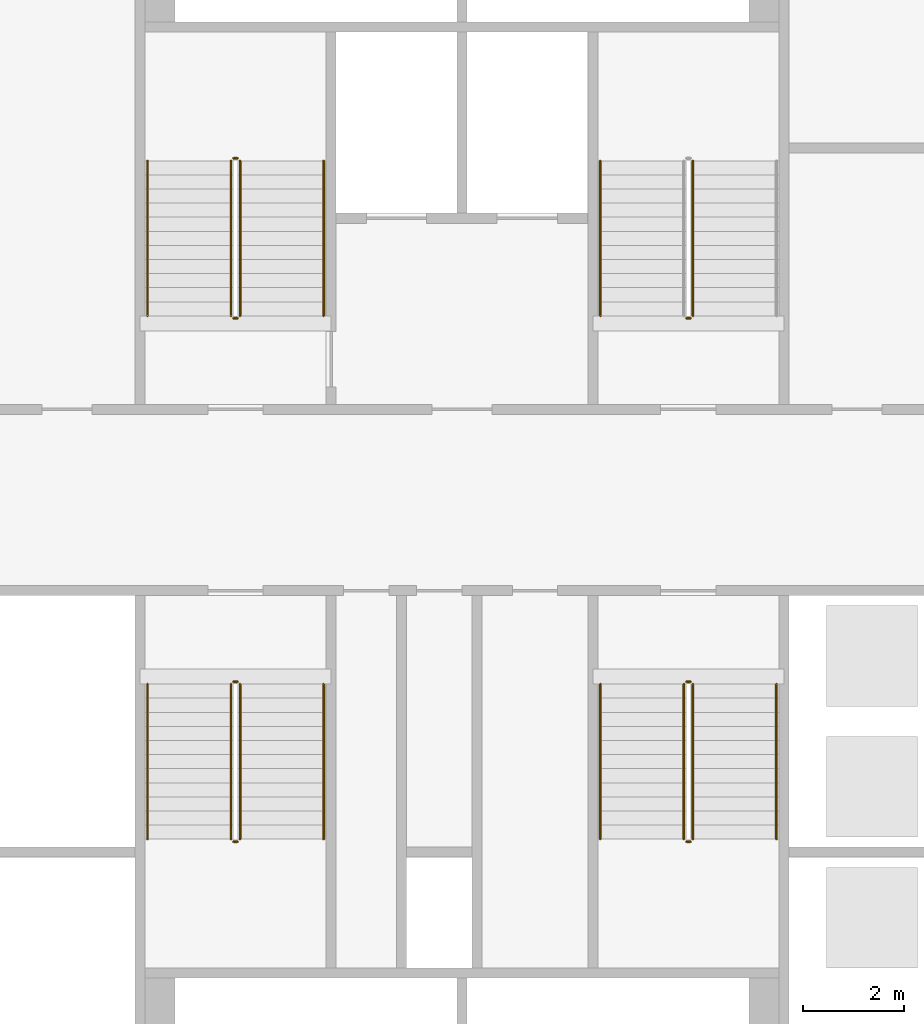
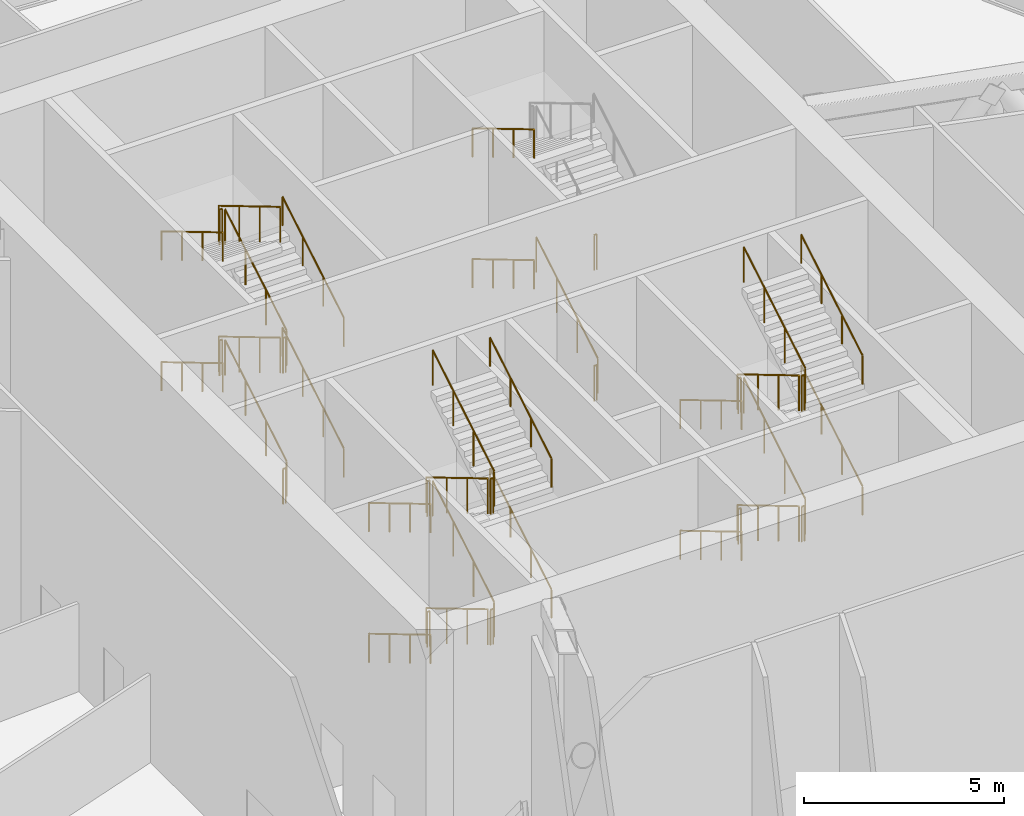
# One storey, part 57 of 63: 41 railings.
"""IFC4 building model written with IfcOpenShell, lengths in metres."""

from ifc_helpers import new_model, si_unit, direction, frame, origin, origin_2d, place, context, subcontext, project, spatial, circle, extrude, material, type_object, element, save


model = new_model("IFC4")

# Units and contexts
model_context = context("Model", 3, precision=1e-05, world=origin(), true_north=direction((0.0, 1.0)))
body_context = subcontext(model_context, "Body", "Model", "MODEL_VIEW")
ifc_project = project(units=[si_unit("LENGTHUNIT", "METRE"), si_unit("AREAUNIT", "SQUARE_METRE"), si_unit("VOLUMEUNIT", "CUBIC_METRE"), si_unit("PLANEANGLEUNIT", "RADIAN"), si_unit("MASSUNIT", "GRAM", prefix="KILO")], contexts=[model_context])

# Site, building, storey
site_placement = place(None, origin())
site = spatial("IfcSite", under=ifc_project, at=site_placement, CompositionType="ELEMENT")
building_placement = place(site_placement, origin())
building = spatial("IfcBuilding", under=site, at=building_placement, Name="Tarsis Ring Headquarters", CompositionType="ELEMENT")
storey_placement = place(building_placement, frame((0.0, 0.0, 139.60009765625)))
storey = spatial("IfcBuildingStorey", under=building, at=storey_placement, Name="L32", CompositionType="ELEMENT", Elevation=139.60009765625)

# Railings
ifc_material = material(Name="Steel S355", Category="steel")
railing_type_1 = type_object("IfcRailingType", Name="Core stair guard 1100", PredefinedType="GUARDRAIL", material=ifc_material)
railing_1_placement = place(storey_placement, frame((-4.409912109375, 3.659912109375, 0.16650390625)))
element("IfcRailing", 1, at=railing_1_placement, inside=storey, type_object=railing_type_1, Name="L32 ST1 stair guard 1", PredefinedType="GUARDRAIL", context=body_context, shape_type="SweptSolid", body=[
    extrude(circle(Radius=0.02392578125, at=origin_2d()), frame((0.0, 0.0, 1.076171875), z_axis=(0.0, 0.85927862911, 0.511507807912), x_axis=(-1.0, 0.0, 0.0)), (0.0, 0.0, 1.0), 3.58447265625),
    extrude(circle(Radius=0.02099609375, at=origin_2d()), origin(), (0.0, 0.0, 1.0), 1.052001953125),
    extrude(circle(Radius=0.02099609375, at=origin_2d()), frame((0.0, 1.026611328125, 0.611083984375)), (0.0, 0.0, 1.0), 1.052001953125),
    extrude(circle(Radius=0.02099609375, at=origin_2d()), frame((0.0, 2.053466796875, 1.222412109375)), (0.0, 0.0, 1.0), 1.052001953125),
    extrude(circle(Radius=0.02099609375, at=origin_2d()), frame((0.0, 3.080078125, 1.83349609375)), (0.0, 0.0, 1.0), 1.052001953125),
])
railing_2_placement = place(storey_placement, frame((-4.4599609375, 6.7900390625, 2.0)))
element("IfcRailing", 2, at=railing_2_placement, inside=storey, type_object=railing_type_1, Name="L32 ST1 stair guard 2", PredefinedType="GUARDRAIL", context=body_context, shape_type="SweptSolid", body=[
    extrude(circle(Radius=0.02392578125, at=origin_2d()), frame((0.0, 0.0, 1.076171875), z_axis=(-1.0, 0.0, 0.0), x_axis=(0.0, -1.0, 0.0)), (0.0, 0.0, 1.0), 0.080078125),
    extrude(circle(Radius=0.02099609375, at=origin_2d()), origin(), (0.0, 0.0, 1.0), 1.052001953125),
    extrude(circle(Radius=0.02099609375, at=origin_2d()), frame((-0.080078125, 0.0, 0.0)), (0.0, 0.0, 1.0), 1.052001953125),
])
railing_3_placement = place(storey_placement, frame((-4.590087890625, 6.739990234375, 2.16650390625)))
element("IfcRailing", 3, at=railing_3_placement, inside=storey, type_object=railing_type_1, Name="L32 ST1 stair guard 3", PredefinedType="GUARDRAIL", context=body_context, shape_type="SweptSolid", body=[
    extrude(circle(Radius=0.02392578125, at=origin_2d()), frame((0.0, 0.0, 1.076171875), z_axis=(0.0, -0.85927862911, 0.511507807912), x_axis=(1.0, 0.0, 0.0)), (0.0, 0.0, 1.0), 3.58447265625),
    extrude(circle(Radius=0.02099609375, at=origin_2d()), origin(), (0.0, 0.0, 1.0), 1.052001953125),
    extrude(circle(Radius=0.02099609375, at=origin_2d()), frame((0.0, -1.026611328125, 0.611083984375)), (0.0, 0.0, 1.0), 1.052001953125),
    extrude(circle(Radius=0.02099609375, at=origin_2d()), frame((0.0, -2.053466796875, 1.222412109375)), (0.0, 0.0, 1.0), 1.052001953125),
    extrude(circle(Radius=0.02099609375, at=origin_2d()), frame((0.0, -3.080078125, 1.83349609375)), (0.0, 0.0, 1.0), 1.052001953125),
])
railing_4_placement = place(storey_placement, frame((-4.4599609375, 3.610107421875, 4.0)))
element("IfcRailing", 4, at=railing_4_placement, inside=storey, type_object=railing_type_1, Name="L32 ST1 stair guard 4", PredefinedType="GUARDRAIL", context=body_context, shape_type="SweptSolid", body=[
    extrude(circle(Radius=0.02392578125, at=origin_2d()), frame((0.0, 0.0, 1.076171875), z_axis=(-1.0, 0.0, 0.0), x_axis=(0.0, -1.0, 0.0)), (0.0, 0.0, 1.0), 0.080078125),
    extrude(circle(Radius=0.02099609375, at=origin_2d()), origin(), (0.0, 0.0, 1.0), 1.052001953125),
    extrude(circle(Radius=0.02099609375, at=origin_2d()), frame((-0.080078125, 0.0, 0.0)), (0.0, 0.0, 1.0), 1.052001953125),
])
railing_5_placement = place(storey_placement, frame((-4.409912109375, 3.659912109375, 4.16650390625)))
element("IfcRailing", 5, at=railing_5_placement, inside=storey, type_object=railing_type_1, Name="L32 ST1 stair guard 5", PredefinedType="GUARDRAIL", context=body_context, shape_type="SweptSolid", body=[
    extrude(circle(Radius=0.02392578125, at=origin_2d()), frame((0.0, 0.0, 1.076171875), z_axis=(0.0, 0.85927862911, 0.511507807912), x_axis=(-1.0, 0.0, 0.0)), (0.0, 0.0, 1.0), 3.58447265625),
    extrude(circle(Radius=0.02099609375, at=origin_2d()), origin(), (0.0, 0.0, 1.0), 1.052001953125),
    extrude(circle(Radius=0.02099609375, at=origin_2d()), frame((0.0, 1.026611328125, 0.611083984375)), (0.0, 0.0, 1.0), 1.052001953125),
    extrude(circle(Radius=0.02099609375, at=origin_2d()), frame((0.0, 2.053466796875, 1.222412109375)), (0.0, 0.0, 1.0), 1.052001953125),
    extrude(circle(Radius=0.02099609375, at=origin_2d()), frame((0.0, 3.080078125, 1.83349609375)), (0.0, 0.0, 1.0), 1.052001953125),
])
railing_6_placement = place(storey_placement, frame((-4.4599609375, 6.7900390625, 6.0)))
element("IfcRailing", 6, at=railing_6_placement, inside=storey, type_object=railing_type_1, Name="L32 ST1 stair guard 6", PredefinedType="GUARDRAIL", context=body_context, shape_type="SweptSolid", body=[
    extrude(circle(Radius=0.02392578125, at=origin_2d()), frame((0.0, 0.0, 1.076171875), z_axis=(-1.0, 0.0, 0.0), x_axis=(0.0, -1.0, 0.0)), (0.0, 0.0, 1.0), 0.080078125),
    extrude(circle(Radius=0.02099609375, at=origin_2d()), origin(), (0.0, 0.0, 1.0), 1.052001953125),
    extrude(circle(Radius=0.02099609375, at=origin_2d()), frame((-0.080078125, 0.0, 0.0)), (0.0, 0.0, 1.0), 1.052001953125),
])
railing_7_placement = place(storey_placement, frame((-4.590087890625, 6.739990234375, 6.16650390625)))
element("IfcRailing", 7, at=railing_7_placement, inside=storey, type_object=railing_type_1, Name="L32 ST1 stair guard 7", PredefinedType="GUARDRAIL", context=body_context, shape_type="SweptSolid", body=[
    extrude(circle(Radius=0.02392578125, at=origin_2d()), frame((0.0, 0.0, 1.076171875), z_axis=(0.0, -0.85927862911, 0.511507807912), x_axis=(1.0, 0.0, 0.0)), (0.0, 0.0, 1.0), 3.58447265625),
    extrude(circle(Radius=0.02099609375, at=origin_2d()), origin(), (0.0, 0.0, 1.0), 1.052001953125),
    extrude(circle(Radius=0.02099609375, at=origin_2d()), frame((0.0, -1.026611328125, 0.611083984375)), (0.0, 0.0, 1.0), 1.052001953125),
    extrude(circle(Radius=0.02099609375, at=origin_2d()), frame((0.0, -2.053466796875, 1.222412109375)), (0.0, 0.0, 1.0), 1.052001953125),
    extrude(circle(Radius=0.02099609375, at=origin_2d()), frame((0.0, -3.080078125, 1.83349609375)), (0.0, 0.0, 1.0), 1.052001953125),
])
railing_8_placement = place(storey_placement, frame((-4.4599609375, 3.610107421875, 0.0)))
element("IfcRailing", 8, at=railing_8_placement, inside=storey, type_object=railing_type_1, Name="L32 ST1 stair guard 8", PredefinedType="GUARDRAIL", context=body_context, shape_type="SweptSolid", body=[
    extrude(circle(Radius=0.02392578125, at=origin_2d()), frame((0.0, 0.0, 1.076171875), z_axis=(-1.0, 0.0, 0.0), x_axis=(0.0, -1.0, 0.0)), (0.0, 0.0, 1.0), 0.080078125),
    extrude(circle(Radius=0.02099609375, at=origin_2d()), origin(), (0.0, 0.0, 1.0), 1.052001953125),
    extrude(circle(Radius=0.02099609375, at=origin_2d()), frame((-0.080078125, 0.0, 0.0)), (0.0, 0.0, 1.0), 1.052001953125),
])
railing_9_placement = place(storey_placement, frame((4.590087890625, 3.659912109375, 0.16650390625)))
element("IfcRailing", 9, at=railing_9_placement, inside=storey, type_object=railing_type_1, Name="L32 ST2 stair guard 1", PredefinedType="GUARDRAIL", context=body_context, shape_type="SweptSolid", body=[
    extrude(circle(Radius=0.02392578125, at=origin_2d()), frame((0.0, 0.0, 1.076171875), z_axis=(0.0, 0.85927862911, 0.511507807912), x_axis=(-1.0, 0.0, 0.0)), (0.0, 0.0, 1.0), 3.58447265625),
    extrude(circle(Radius=0.02099609375, at=origin_2d()), origin(), (0.0, 0.0, 1.0), 1.052001953125),
    extrude(circle(Radius=0.02099609375, at=origin_2d()), frame((0.0, 1.026611328125, 0.611083984375)), (0.0, 0.0, 1.0), 1.052001953125),
    extrude(circle(Radius=0.02099609375, at=origin_2d()), frame((0.0, 2.053466796875, 1.222412109375)), (0.0, 0.0, 1.0), 1.052001953125),
    extrude(circle(Radius=0.02099609375, at=origin_2d()), frame((0.0, 3.080078125, 1.83349609375)), (0.0, 0.0, 1.0), 1.052001953125),
])
for number, where, name in (
    (10, (4.5400390625, 3.610107421875, 4.0), "L32 ST2 stair guard 4"),
    (11, (4.5400390625, 3.610107421875, 0.0), "L32 ST2 stair guard 8"),
):
    element("IfcRailing", number, at=place(storey_placement, frame(where)), inside=storey, type_object=railing_type_1, Name=name, PredefinedType="GUARDRAIL", context=body_context, shape_type="SweptSolid", body=[
        extrude(circle(Radius=0.02392578125, at=origin_2d()), frame((0.0, 0.0, 1.076171875), z_axis=(-1.0, 0.0, 0.0), x_axis=(0.0, -1.0, 0.0)), (0.0, 0.0, 1.0), 0.080078125),
        extrude(circle(Radius=0.02099609375, at=origin_2d()), origin(), (0.0, 0.0, 1.0), 1.052001953125),
        extrude(circle(Radius=0.02099609375, at=origin_2d()), frame((-0.080078125, 0.0, 0.0)), (0.0, 0.0, 1.0), 1.052001953125),
    ])
railing_10_placement = place(storey_placement, frame((-4.590087890625, -3.659912109375, 0.16650390625)))
element("IfcRailing", 12, at=railing_10_placement, inside=storey, type_object=railing_type_1, Name="L32 ST3 stair guard 1", PredefinedType="GUARDRAIL", context=body_context, shape_type="SweptSolid", body=[
    extrude(circle(Radius=0.02392578125, at=origin_2d()), frame((0.0, 0.0, 1.076171875), z_axis=(0.0, -0.85927862911, 0.511507807912), x_axis=(1.0, 0.0, 0.0)), (0.0, 0.0, 1.0), 3.58447265625),
    extrude(circle(Radius=0.02099609375, at=origin_2d()), origin(), (0.0, 0.0, 1.0), 1.052001953125),
    extrude(circle(Radius=0.02099609375, at=origin_2d()), frame((0.0, -1.026611328125, 0.611083984375)), (0.0, 0.0, 1.0), 1.052001953125),
    extrude(circle(Radius=0.02099609375, at=origin_2d()), frame((0.0, -2.053466796875, 1.222412109375)), (0.0, 0.0, 1.0), 1.052001953125),
    extrude(circle(Radius=0.02099609375, at=origin_2d()), frame((0.0, -3.080078125, 1.83349609375)), (0.0, 0.0, 1.0), 1.052001953125),
])
railing_11_placement = place(storey_placement, frame((-4.5400390625, -6.7900390625, 2.0)))
element("IfcRailing", 13, at=railing_11_placement, inside=storey, type_object=railing_type_1, Name="L32 ST3 stair guard 2", PredefinedType="GUARDRAIL", context=body_context, shape_type="SweptSolid", body=[
    extrude(circle(Radius=0.02392578125, at=origin_2d()), frame((0.0, 0.0, 1.076171875), z_axis=(1.0, 0.0, 0.0), x_axis=(0.0, 1.0, 0.0)), (0.0, 0.0, 1.0), 0.080078125),
    extrude(circle(Radius=0.02099609375, at=origin_2d()), origin(), (0.0, 0.0, 1.0), 1.052001953125),
    extrude(circle(Radius=0.02099609375, at=origin_2d()), frame((0.080078125, 0.0, 0.0)), (0.0, 0.0, 1.0), 1.052001953125),
])
railing_12_placement = place(storey_placement, frame((-4.409912109375, -6.739990234375, 2.16650390625)))
element("IfcRailing", 14, at=railing_12_placement, inside=storey, type_object=railing_type_1, Name="L32 ST3 stair guard 3", PredefinedType="GUARDRAIL", context=body_context, shape_type="SweptSolid", body=[
    extrude(circle(Radius=0.02392578125, at=origin_2d()), frame((0.0, 0.0, 1.076171875), z_axis=(0.0, 0.85927862911, 0.511507807912), x_axis=(-1.0, 0.0, 0.0)), (0.0, 0.0, 1.0), 3.58447265625),
    extrude(circle(Radius=0.02099609375, at=origin_2d()), origin(), (0.0, 0.0, 1.0), 1.052001953125),
    extrude(circle(Radius=0.02099609375, at=origin_2d()), frame((0.0, 1.026611328125, 0.611083984375)), (0.0, 0.0, 1.0), 1.052001953125),
    extrude(circle(Radius=0.02099609375, at=origin_2d()), frame((0.0, 2.053466796875, 1.222412109375)), (0.0, 0.0, 1.0), 1.052001953125),
    extrude(circle(Radius=0.02099609375, at=origin_2d()), frame((0.0, 3.080078125, 1.83349609375)), (0.0, 0.0, 1.0), 1.052001953125),
])
railing_13_placement = place(storey_placement, frame((-4.5400390625, -3.610107421875, 4.0)))
element("IfcRailing", 15, at=railing_13_placement, inside=storey, type_object=railing_type_1, Name="L32 ST3 stair guard 4", PredefinedType="GUARDRAIL", context=body_context, shape_type="SweptSolid", body=[
    extrude(circle(Radius=0.02392578125, at=origin_2d()), frame((0.0, 0.0, 1.076171875), z_axis=(1.0, 0.0, 0.0), x_axis=(0.0, 1.0, 0.0)), (0.0, 0.0, 1.0), 0.080078125),
    extrude(circle(Radius=0.02099609375, at=origin_2d()), origin(), (0.0, 0.0, 1.0), 1.052001953125),
    extrude(circle(Radius=0.02099609375, at=origin_2d()), frame((0.080078125, 0.0, 0.0)), (0.0, 0.0, 1.0), 1.052001953125),
])
railing_14_placement = place(storey_placement, frame((-4.590087890625, -3.659912109375, 4.16650390625)))
element("IfcRailing", 16, at=railing_14_placement, inside=storey, type_object=railing_type_1, Name="L32 ST3 stair guard 5", PredefinedType="GUARDRAIL", context=body_context, shape_type="SweptSolid", body=[
    extrude(circle(Radius=0.02392578125, at=origin_2d()), frame((0.0, 0.0, 1.076171875), z_axis=(0.0, -0.85927862911, 0.511507807912), x_axis=(1.0, 0.0, 0.0)), (0.0, 0.0, 1.0), 3.58447265625),
    extrude(circle(Radius=0.02099609375, at=origin_2d()), origin(), (0.0, 0.0, 1.0), 1.052001953125),
    extrude(circle(Radius=0.02099609375, at=origin_2d()), frame((0.0, -1.026611328125, 0.611083984375)), (0.0, 0.0, 1.0), 1.052001953125),
    extrude(circle(Radius=0.02099609375, at=origin_2d()), frame((0.0, -2.053466796875, 1.222412109375)), (0.0, 0.0, 1.0), 1.052001953125),
    extrude(circle(Radius=0.02099609375, at=origin_2d()), frame((0.0, -3.080078125, 1.83349609375)), (0.0, 0.0, 1.0), 1.052001953125),
])
railing_15_placement = place(storey_placement, frame((-4.5400390625, -6.7900390625, 6.0)))
element("IfcRailing", 17, at=railing_15_placement, inside=storey, type_object=railing_type_1, Name="L32 ST3 stair guard 6", PredefinedType="GUARDRAIL", context=body_context, shape_type="SweptSolid", body=[
    extrude(circle(Radius=0.02392578125, at=origin_2d()), frame((0.0, 0.0, 1.076171875), z_axis=(1.0, 0.0, 0.0), x_axis=(0.0, 1.0, 0.0)), (0.0, 0.0, 1.0), 0.080078125),
    extrude(circle(Radius=0.02099609375, at=origin_2d()), origin(), (0.0, 0.0, 1.0), 1.052001953125),
    extrude(circle(Radius=0.02099609375, at=origin_2d()), frame((0.080078125, 0.0, 0.0)), (0.0, 0.0, 1.0), 1.052001953125),
])
railing_16_placement = place(storey_placement, frame((-4.409912109375, -6.739990234375, 6.16650390625)))
element("IfcRailing", 18, at=railing_16_placement, inside=storey, type_object=railing_type_1, Name="L32 ST3 stair guard 7", PredefinedType="GUARDRAIL", context=body_context, shape_type="SweptSolid", body=[
    extrude(circle(Radius=0.02392578125, at=origin_2d()), frame((0.0, 0.0, 1.076171875), z_axis=(0.0, 0.85927862911, 0.511507807912), x_axis=(-1.0, 0.0, 0.0)), (0.0, 0.0, 1.0), 3.58447265625),
    extrude(circle(Radius=0.02099609375, at=origin_2d()), origin(), (0.0, 0.0, 1.0), 1.052001953125),
    extrude(circle(Radius=0.02099609375, at=origin_2d()), frame((0.0, 1.026611328125, 0.611083984375)), (0.0, 0.0, 1.0), 1.052001953125),
    extrude(circle(Radius=0.02099609375, at=origin_2d()), frame((0.0, 2.053466796875, 1.222412109375)), (0.0, 0.0, 1.0), 1.052001953125),
    extrude(circle(Radius=0.02099609375, at=origin_2d()), frame((0.0, 3.080078125, 1.83349609375)), (0.0, 0.0, 1.0), 1.052001953125),
])
railing_17_placement = place(storey_placement, frame((-4.5400390625, -3.610107421875, 0.0)))
element("IfcRailing", 19, at=railing_17_placement, inside=storey, type_object=railing_type_1, Name="L32 ST3 stair guard 8", PredefinedType="GUARDRAIL", context=body_context, shape_type="SweptSolid", body=[
    extrude(circle(Radius=0.02392578125, at=origin_2d()), frame((0.0, 0.0, 1.076171875), z_axis=(1.0, 0.0, 0.0), x_axis=(0.0, 1.0, 0.0)), (0.0, 0.0, 1.0), 0.080078125),
    extrude(circle(Radius=0.02099609375, at=origin_2d()), origin(), (0.0, 0.0, 1.0), 1.052001953125),
    extrude(circle(Radius=0.02099609375, at=origin_2d()), frame((0.080078125, 0.0, 0.0)), (0.0, 0.0, 1.0), 1.052001953125),
])
railing_18_placement = place(storey_placement, frame((4.409912109375, -3.659912109375, 0.16650390625)))
element("IfcRailing", 20, at=railing_18_placement, inside=storey, type_object=railing_type_1, Name="L32 ST4 stair guard 1", PredefinedType="GUARDRAIL", context=body_context, shape_type="SweptSolid", body=[
    extrude(circle(Radius=0.02392578125, at=origin_2d()), frame((0.0, 0.0, 1.076171875), z_axis=(0.0, -0.85927862911, 0.511507807912), x_axis=(1.0, 0.0, 0.0)), (0.0, 0.0, 1.0), 3.58447265625),
    extrude(circle(Radius=0.02099609375, at=origin_2d()), origin(), (0.0, 0.0, 1.0), 1.052001953125),
    extrude(circle(Radius=0.02099609375, at=origin_2d()), frame((0.0, -1.026611328125, 0.611083984375)), (0.0, 0.0, 1.0), 1.052001953125),
    extrude(circle(Radius=0.02099609375, at=origin_2d()), frame((0.0, -2.053466796875, 1.222412109375)), (0.0, 0.0, 1.0), 1.052001953125),
    extrude(circle(Radius=0.02099609375, at=origin_2d()), frame((0.0, -3.080078125, 1.83349609375)), (0.0, 0.0, 1.0), 1.052001953125),
])
railing_19_placement = place(storey_placement, frame((4.4599609375, -6.7900390625, 2.0)))
element("IfcRailing", 21, at=railing_19_placement, inside=storey, type_object=railing_type_1, Name="L32 ST4 stair guard 2", PredefinedType="GUARDRAIL", context=body_context, shape_type="SweptSolid", body=[
    extrude(circle(Radius=0.02392578125, at=origin_2d()), frame((0.0, 0.0, 1.076171875), z_axis=(1.0, 0.0, 0.0), x_axis=(0.0, 1.0, 0.0)), (0.0, 0.0, 1.0), 0.080078125),
    extrude(circle(Radius=0.02099609375, at=origin_2d()), origin(), (0.0, 0.0, 1.0), 1.052001953125),
    extrude(circle(Radius=0.02099609375, at=origin_2d()), frame((0.080078125, 0.0, 0.0)), (0.0, 0.0, 1.0), 1.052001953125),
])
railing_20_placement = place(storey_placement, frame((4.590087890625, -6.739990234375, 2.16650390625)))
element("IfcRailing", 22, at=railing_20_placement, inside=storey, type_object=railing_type_1, Name="L32 ST4 stair guard 3", PredefinedType="GUARDRAIL", context=body_context, shape_type="SweptSolid", body=[
    extrude(circle(Radius=0.02392578125, at=origin_2d()), frame((0.0, 0.0, 1.076171875), z_axis=(0.0, 0.85927862911, 0.511507807912), x_axis=(-1.0, 0.0, 0.0)), (0.0, 0.0, 1.0), 3.58447265625),
    extrude(circle(Radius=0.02099609375, at=origin_2d()), origin(), (0.0, 0.0, 1.0), 1.052001953125),
    extrude(circle(Radius=0.02099609375, at=origin_2d()), frame((0.0, 1.026611328125, 0.611083984375)), (0.0, 0.0, 1.0), 1.052001953125),
    extrude(circle(Radius=0.02099609375, at=origin_2d()), frame((0.0, 2.053466796875, 1.222412109375)), (0.0, 0.0, 1.0), 1.052001953125),
    extrude(circle(Radius=0.02099609375, at=origin_2d()), frame((0.0, 3.080078125, 1.83349609375)), (0.0, 0.0, 1.0), 1.052001953125),
])
railing_21_placement = place(storey_placement, frame((4.4599609375, -3.610107421875, 4.0)))
element("IfcRailing", 23, at=railing_21_placement, inside=storey, type_object=railing_type_1, Name="L32 ST4 stair guard 4", PredefinedType="GUARDRAIL", context=body_context, shape_type="SweptSolid", body=[
    extrude(circle(Radius=0.02392578125, at=origin_2d()), frame((0.0, 0.0, 1.076171875), z_axis=(1.0, 0.0, 0.0), x_axis=(0.0, 1.0, 0.0)), (0.0, 0.0, 1.0), 0.080078125),
    extrude(circle(Radius=0.02099609375, at=origin_2d()), origin(), (0.0, 0.0, 1.0), 1.052001953125),
    extrude(circle(Radius=0.02099609375, at=origin_2d()), frame((0.080078125, 0.0, 0.0)), (0.0, 0.0, 1.0), 1.052001953125),
])
railing_22_placement = place(storey_placement, frame((4.409912109375, -3.659912109375, 4.16650390625)))
element("IfcRailing", 24, at=railing_22_placement, inside=storey, type_object=railing_type_1, Name="L32 ST4 stair guard 5", PredefinedType="GUARDRAIL", context=body_context, shape_type="SweptSolid", body=[
    extrude(circle(Radius=0.02392578125, at=origin_2d()), frame((0.0, 0.0, 1.076171875), z_axis=(0.0, -0.85927862911, 0.511507807912), x_axis=(1.0, 0.0, 0.0)), (0.0, 0.0, 1.0), 3.58447265625),
    extrude(circle(Radius=0.02099609375, at=origin_2d()), origin(), (0.0, 0.0, 1.0), 1.052001953125),
    extrude(circle(Radius=0.02099609375, at=origin_2d()), frame((0.0, -1.026611328125, 0.611083984375)), (0.0, 0.0, 1.0), 1.052001953125),
    extrude(circle(Radius=0.02099609375, at=origin_2d()), frame((0.0, -2.053466796875, 1.222412109375)), (0.0, 0.0, 1.0), 1.052001953125),
    extrude(circle(Radius=0.02099609375, at=origin_2d()), frame((0.0, -3.080078125, 1.83349609375)), (0.0, 0.0, 1.0), 1.052001953125),
])
railing_23_placement = place(storey_placement, frame((4.4599609375, -6.7900390625, 6.0)))
element("IfcRailing", 25, at=railing_23_placement, inside=storey, type_object=railing_type_1, Name="L32 ST4 stair guard 6", PredefinedType="GUARDRAIL", context=body_context, shape_type="SweptSolid", body=[
    extrude(circle(Radius=0.02392578125, at=origin_2d()), frame((0.0, 0.0, 1.076171875), z_axis=(1.0, 0.0, 0.0), x_axis=(0.0, 1.0, 0.0)), (0.0, 0.0, 1.0), 0.080078125),
    extrude(circle(Radius=0.02099609375, at=origin_2d()), origin(), (0.0, 0.0, 1.0), 1.052001953125),
    extrude(circle(Radius=0.02099609375, at=origin_2d()), frame((0.080078125, 0.0, 0.0)), (0.0, 0.0, 1.0), 1.052001953125),
])
railing_24_placement = place(storey_placement, frame((4.590087890625, -6.739990234375, 6.16650390625)))
element("IfcRailing", 26, at=railing_24_placement, inside=storey, type_object=railing_type_1, Name="L32 ST4 stair guard 7", PredefinedType="GUARDRAIL", context=body_context, shape_type="SweptSolid", body=[
    extrude(circle(Radius=0.02392578125, at=origin_2d()), frame((0.0, 0.0, 1.076171875), z_axis=(0.0, 0.85927862911, 0.511507807912), x_axis=(-1.0, 0.0, 0.0)), (0.0, 0.0, 1.0), 3.58447265625),
    extrude(circle(Radius=0.02099609375, at=origin_2d()), origin(), (0.0, 0.0, 1.0), 1.052001953125),
    extrude(circle(Radius=0.02099609375, at=origin_2d()), frame((0.0, 1.026611328125, 0.611083984375)), (0.0, 0.0, 1.0), 1.052001953125),
    extrude(circle(Radius=0.02099609375, at=origin_2d()), frame((0.0, 2.053466796875, 1.222412109375)), (0.0, 0.0, 1.0), 1.052001953125),
    extrude(circle(Radius=0.02099609375, at=origin_2d()), frame((0.0, 3.080078125, 1.83349609375)), (0.0, 0.0, 1.0), 1.052001953125),
])
railing_25_placement = place(storey_placement, frame((4.4599609375, -3.610107421875, 0.0)))
element("IfcRailing", 27, at=railing_25_placement, inside=storey, type_object=railing_type_1, Name="L32 ST4 stair guard 8", PredefinedType="GUARDRAIL", context=body_context, shape_type="SweptSolid", body=[
    extrude(circle(Radius=0.02392578125, at=origin_2d()), frame((0.0, 0.0, 1.076171875), z_axis=(1.0, 0.0, 0.0), x_axis=(0.0, 1.0, 0.0)), (0.0, 0.0, 1.0), 0.080078125),
    extrude(circle(Radius=0.02099609375, at=origin_2d()), origin(), (0.0, 0.0, 1.0), 1.052001953125),
    extrude(circle(Radius=0.02099609375, at=origin_2d()), frame((0.080078125, 0.0, 0.0)), (0.0, 0.0, 1.0), 1.052001953125),
])
railing_type_2 = type_object("IfcRailingType", Name="Core stair handrail 900", PredefinedType="HANDRAIL", material=ifc_material)
railing_26_placement = place(storey_placement, frame((-2.75, 3.659912109375, 0.16650390625)))
element("IfcRailing", 28, at=railing_26_placement, inside=storey, type_object=railing_type_2, Name="L32 ST1 stair handrail 1", PredefinedType="HANDRAIL", context=body_context, shape_type="SweptSolid", body=[
    extrude(circle(Radius=0.02392578125, at=origin_2d()), frame((0.0, 0.0, 0.8759765625), z_axis=(0.0, 0.85927862911, 0.511507807912), x_axis=(-1.0, 0.0, 0.0)), (0.0, 0.0, 1.0), 3.58447265625),
    extrude(circle(Radius=0.02099609375, at=origin_2d()), origin(), (0.0, 0.0, 1.0), 0.851806640625),
    extrude(circle(Radius=0.02099609375, at=origin_2d()), frame((0.0, 1.026611328125, 0.611083984375)), (0.0, 0.0, 1.0), 0.851806640625),
    extrude(circle(Radius=0.02099609375, at=origin_2d()), frame((0.0, 2.053466796875, 1.222412109375)), (0.0, 0.0, 1.0), 0.851806640625),
    extrude(circle(Radius=0.02099609375, at=origin_2d()), frame((0.0, 3.080078125, 1.83349609375)), (0.0, 0.0, 1.0), 0.851806640625),
])
railing_27_placement = place(storey_placement, frame((-6.25, 6.739990234375, 2.16650390625)))
element("IfcRailing", 29, at=railing_27_placement, inside=storey, type_object=railing_type_2, Name="L32 ST1 stair handrail 2", PredefinedType="HANDRAIL", context=body_context, shape_type="SweptSolid", body=[
    extrude(circle(Radius=0.02392578125, at=origin_2d()), frame((0.0, 0.0, 0.8759765625), z_axis=(0.0, -0.85927862911, 0.511507807912), x_axis=(1.0, 0.0, 0.0)), (0.0, 0.0, 1.0), 3.58447265625),
    extrude(circle(Radius=0.02099609375, at=origin_2d()), origin(), (0.0, 0.0, 1.0), 0.851806640625),
    extrude(circle(Radius=0.02099609375, at=origin_2d()), frame((0.0, -1.026611328125, 0.611083984375)), (0.0, 0.0, 1.0), 0.851806640625),
    extrude(circle(Radius=0.02099609375, at=origin_2d()), frame((0.0, -2.053466796875, 1.222412109375)), (0.0, 0.0, 1.0), 0.851806640625),
    extrude(circle(Radius=0.02099609375, at=origin_2d()), frame((0.0, -3.080078125, 1.83349609375)), (0.0, 0.0, 1.0), 0.851806640625),
])
railing_28_placement = place(storey_placement, frame((-2.75, 3.659912109375, 4.16650390625)))
element("IfcRailing", 30, at=railing_28_placement, inside=storey, type_object=railing_type_2, Name="L32 ST1 stair handrail 3", PredefinedType="HANDRAIL", context=body_context, shape_type="SweptSolid", body=[
    extrude(circle(Radius=0.02392578125, at=origin_2d()), frame((0.0, 0.0, 0.8759765625), z_axis=(0.0, 0.85927862911, 0.511507807912), x_axis=(-1.0, 0.0, 0.0)), (0.0, 0.0, 1.0), 3.58447265625),
    extrude(circle(Radius=0.02099609375, at=origin_2d()), origin(), (0.0, 0.0, 1.0), 0.851806640625),
    extrude(circle(Radius=0.02099609375, at=origin_2d()), frame((0.0, 1.026611328125, 0.611083984375)), (0.0, 0.0, 1.0), 0.851806640625),
    extrude(circle(Radius=0.02099609375, at=origin_2d()), frame((0.0, 2.053466796875, 1.222412109375)), (0.0, 0.0, 1.0), 0.851806640625),
    extrude(circle(Radius=0.02099609375, at=origin_2d()), frame((0.0, 3.080078125, 1.83349609375)), (0.0, 0.0, 1.0), 0.851806640625),
])
for number, where, name in (
    (31, (-6.25, 6.739990234375, 6.16650390625), "L32 ST1 stair handrail 4"),
    (32, (2.75, 6.739990234375, 2.16650390625), "L32 ST2 stair handrail 2"),
    (33, (2.75, 6.739990234375, 6.16650390625), "L32 ST2 stair handrail 4"),
    (34, (-6.25, -3.659912109375, 0.16650390625), "L32 ST3 stair handrail 1"),
):
    element("IfcRailing", number, at=place(storey_placement, frame(where)), inside=storey, type_object=railing_type_2, Name=name, PredefinedType="HANDRAIL", context=body_context, shape_type="SweptSolid", body=[
        extrude(circle(Radius=0.02392578125, at=origin_2d()), frame((0.0, 0.0, 0.8759765625), z_axis=(0.0, -0.85927862911, 0.511507807912), x_axis=(1.0, 0.0, 0.0)), (0.0, 0.0, 1.0), 3.58447265625),
        extrude(circle(Radius=0.02099609375, at=origin_2d()), origin(), (0.0, 0.0, 1.0), 0.851806640625),
        extrude(circle(Radius=0.02099609375, at=origin_2d()), frame((0.0, -1.026611328125, 0.611083984375)), (0.0, 0.0, 1.0), 0.851806640625),
        extrude(circle(Radius=0.02099609375, at=origin_2d()), frame((0.0, -2.053466796875, 1.222412109375)), (0.0, 0.0, 1.0), 0.851806640625),
        extrude(circle(Radius=0.02099609375, at=origin_2d()), frame((0.0, -3.080078125, 1.83349609375)), (0.0, 0.0, 1.0), 0.851806640625),
    ])
railing_29_placement = place(storey_placement, frame((-2.75, -6.739990234375, 2.16650390625)))
element("IfcRailing", 35, at=railing_29_placement, inside=storey, type_object=railing_type_2, Name="L32 ST3 stair handrail 2", PredefinedType="HANDRAIL", context=body_context, shape_type="SweptSolid", body=[
    extrude(circle(Radius=0.02392578125, at=origin_2d()), frame((0.0, 0.0, 0.8759765625), z_axis=(0.0, 0.85927862911, 0.511507807912), x_axis=(-1.0, 0.0, 0.0)), (0.0, 0.0, 1.0), 3.58447265625),
    extrude(circle(Radius=0.02099609375, at=origin_2d()), origin(), (0.0, 0.0, 1.0), 0.851806640625),
    extrude(circle(Radius=0.02099609375, at=origin_2d()), frame((0.0, 1.026611328125, 0.611083984375)), (0.0, 0.0, 1.0), 0.851806640625),
    extrude(circle(Radius=0.02099609375, at=origin_2d()), frame((0.0, 2.053466796875, 1.222412109375)), (0.0, 0.0, 1.0), 0.851806640625),
    extrude(circle(Radius=0.02099609375, at=origin_2d()), frame((0.0, 3.080078125, 1.83349609375)), (0.0, 0.0, 1.0), 0.851806640625),
])
railing_30_placement = place(storey_placement, frame((-6.25, -3.659912109375, 4.16650390625)))
element("IfcRailing", 36, at=railing_30_placement, inside=storey, type_object=railing_type_2, Name="L32 ST3 stair handrail 3", PredefinedType="HANDRAIL", context=body_context, shape_type="SweptSolid", body=[
    extrude(circle(Radius=0.02392578125, at=origin_2d()), frame((0.0, 0.0, 0.8759765625), z_axis=(0.0, -0.85927862911, 0.511507807912), x_axis=(1.0, 0.0, 0.0)), (0.0, 0.0, 1.0), 3.58447265625),
    extrude(circle(Radius=0.02099609375, at=origin_2d()), origin(), (0.0, 0.0, 1.0), 0.851806640625),
    extrude(circle(Radius=0.02099609375, at=origin_2d()), frame((0.0, -1.026611328125, 0.611083984375)), (0.0, 0.0, 1.0), 0.851806640625),
    extrude(circle(Radius=0.02099609375, at=origin_2d()), frame((0.0, -2.053466796875, 1.222412109375)), (0.0, 0.0, 1.0), 0.851806640625),
    extrude(circle(Radius=0.02099609375, at=origin_2d()), frame((0.0, -3.080078125, 1.83349609375)), (0.0, 0.0, 1.0), 0.851806640625),
])
railing_31_placement = place(storey_placement, frame((-2.75, -6.739990234375, 6.16650390625)))
element("IfcRailing", 37, at=railing_31_placement, inside=storey, type_object=railing_type_2, Name="L32 ST3 stair handrail 4", PredefinedType="HANDRAIL", context=body_context, shape_type="SweptSolid", body=[
    extrude(circle(Radius=0.02392578125, at=origin_2d()), frame((0.0, 0.0, 0.8759765625), z_axis=(0.0, 0.85927862911, 0.511507807912), x_axis=(-1.0, 0.0, 0.0)), (0.0, 0.0, 1.0), 3.58447265625),
    extrude(circle(Radius=0.02099609375, at=origin_2d()), origin(), (0.0, 0.0, 1.0), 0.851806640625),
    extrude(circle(Radius=0.02099609375, at=origin_2d()), frame((0.0, 1.026611328125, 0.611083984375)), (0.0, 0.0, 1.0), 0.851806640625),
    extrude(circle(Radius=0.02099609375, at=origin_2d()), frame((0.0, 2.053466796875, 1.222412109375)), (0.0, 0.0, 1.0), 0.851806640625),
    extrude(circle(Radius=0.02099609375, at=origin_2d()), frame((0.0, 3.080078125, 1.83349609375)), (0.0, 0.0, 1.0), 0.851806640625),
])
railing_32_placement = place(storey_placement, frame((2.75, -3.659912109375, 0.16650390625)))
element("IfcRailing", 38, at=railing_32_placement, inside=storey, type_object=railing_type_2, Name="L32 ST4 stair handrail 1", PredefinedType="HANDRAIL", context=body_context, shape_type="SweptSolid", body=[
    extrude(circle(Radius=0.02392578125, at=origin_2d()), frame((0.0, 0.0, 0.8759765625), z_axis=(0.0, -0.85927862911, 0.511507807912), x_axis=(1.0, 0.0, 0.0)), (0.0, 0.0, 1.0), 3.58447265625),
    extrude(circle(Radius=0.02099609375, at=origin_2d()), origin(), (0.0, 0.0, 1.0), 0.851806640625),
    extrude(circle(Radius=0.02099609375, at=origin_2d()), frame((0.0, -1.026611328125, 0.611083984375)), (0.0, 0.0, 1.0), 0.851806640625),
    extrude(circle(Radius=0.02099609375, at=origin_2d()), frame((0.0, -2.053466796875, 1.222412109375)), (0.0, 0.0, 1.0), 0.851806640625),
    extrude(circle(Radius=0.02099609375, at=origin_2d()), frame((0.0, -3.080078125, 1.83349609375)), (0.0, 0.0, 1.0), 0.851806640625),
])
railing_33_placement = place(storey_placement, frame((6.25, -6.739990234375, 2.16650390625)))
element("IfcRailing", 39, at=railing_33_placement, inside=storey, type_object=railing_type_2, Name="L32 ST4 stair handrail 2", PredefinedType="HANDRAIL", context=body_context, shape_type="SweptSolid", body=[
    extrude(circle(Radius=0.02392578125, at=origin_2d()), frame((0.0, 0.0, 0.8759765625), z_axis=(0.0, 0.85927862911, 0.511507807912), x_axis=(-1.0, 0.0, 0.0)), (0.0, 0.0, 1.0), 3.58447265625),
    extrude(circle(Radius=0.02099609375, at=origin_2d()), origin(), (0.0, 0.0, 1.0), 0.851806640625),
    extrude(circle(Radius=0.02099609375, at=origin_2d()), frame((0.0, 1.026611328125, 0.611083984375)), (0.0, 0.0, 1.0), 0.851806640625),
    extrude(circle(Radius=0.02099609375, at=origin_2d()), frame((0.0, 2.053466796875, 1.222412109375)), (0.0, 0.0, 1.0), 0.851806640625),
    extrude(circle(Radius=0.02099609375, at=origin_2d()), frame((0.0, 3.080078125, 1.83349609375)), (0.0, 0.0, 1.0), 0.851806640625),
])
railing_34_placement = place(storey_placement, frame((2.75, -3.659912109375, 4.16650390625)))
element("IfcRailing", 40, at=railing_34_placement, inside=storey, type_object=railing_type_2, Name="L32 ST4 stair handrail 3", PredefinedType="HANDRAIL", context=body_context, shape_type="SweptSolid", body=[
    extrude(circle(Radius=0.02392578125, at=origin_2d()), frame((0.0, 0.0, 0.8759765625), z_axis=(0.0, -0.85927862911, 0.511507807912), x_axis=(1.0, 0.0, 0.0)), (0.0, 0.0, 1.0), 3.58447265625),
    extrude(circle(Radius=0.02099609375, at=origin_2d()), origin(), (0.0, 0.0, 1.0), 0.851806640625),
    extrude(circle(Radius=0.02099609375, at=origin_2d()), frame((0.0, -1.026611328125, 0.611083984375)), (0.0, 0.0, 1.0), 0.851806640625),
    extrude(circle(Radius=0.02099609375, at=origin_2d()), frame((0.0, -2.053466796875, 1.222412109375)), (0.0, 0.0, 1.0), 0.851806640625),
    extrude(circle(Radius=0.02099609375, at=origin_2d()), frame((0.0, -3.080078125, 1.83349609375)), (0.0, 0.0, 1.0), 0.851806640625),
])
railing_35_placement = place(storey_placement, frame((6.25, -6.739990234375, 6.16650390625)))
element("IfcRailing", 41, at=railing_35_placement, inside=storey, type_object=railing_type_2, Name="L32 ST4 stair handrail 4", PredefinedType="HANDRAIL", context=body_context, shape_type="SweptSolid", body=[
    extrude(circle(Radius=0.02392578125, at=origin_2d()), frame((0.0, 0.0, 0.8759765625), z_axis=(0.0, 0.85927862911, 0.511507807912), x_axis=(-1.0, 0.0, 0.0)), (0.0, 0.0, 1.0), 3.58447265625),
    extrude(circle(Radius=0.02099609375, at=origin_2d()), origin(), (0.0, 0.0, 1.0), 0.851806640625),
    extrude(circle(Radius=0.02099609375, at=origin_2d()), frame((0.0, 1.026611328125, 0.611083984375)), (0.0, 0.0, 1.0), 0.851806640625),
    extrude(circle(Radius=0.02099609375, at=origin_2d()), frame((0.0, 2.053466796875, 1.222412109375)), (0.0, 0.0, 1.0), 0.851806640625),
    extrude(circle(Radius=0.02099609375, at=origin_2d()), frame((0.0, 3.080078125, 1.83349609375)), (0.0, 0.0, 1.0), 0.851806640625),
])

save(model, "model.ifc")
